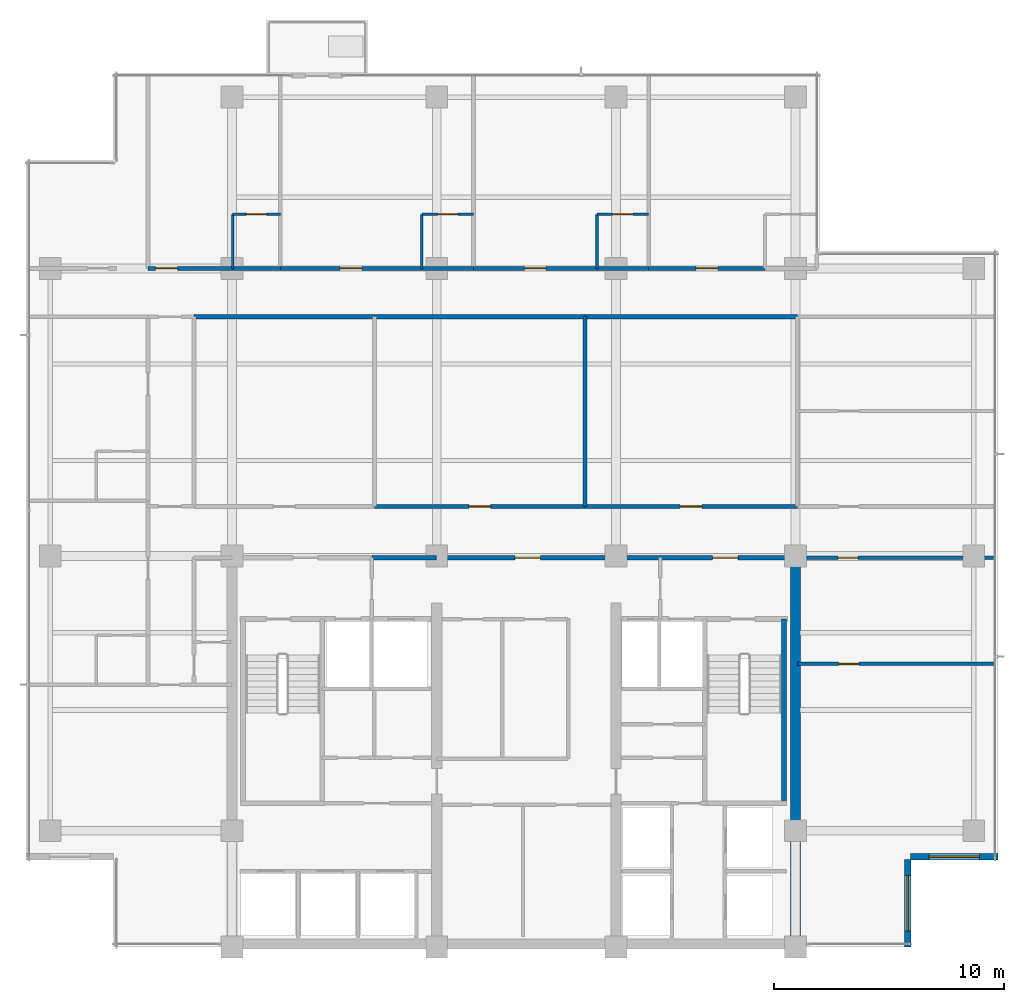
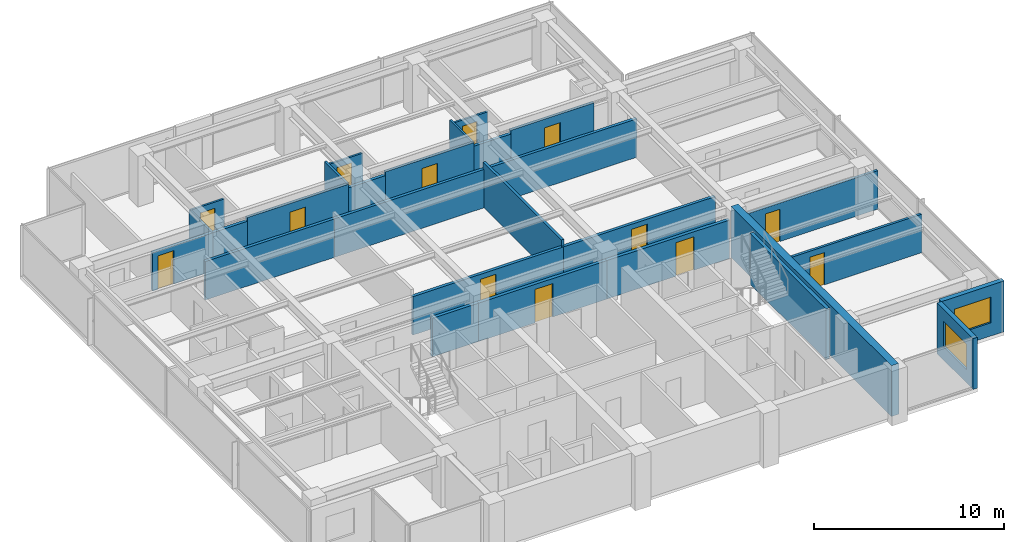
# One storey, part 9 of 14: 28 walls, 13 doors, 2 windows, 15 openings.
"""IFC4 building model written with IfcOpenShell, lengths in metres."""

from ifc_helpers import new_model, si_unit, direction, frame, frame_2d, origin, place, context, subcontext, project, spatial, rectangle, extrude, material, layer, layer_set, type_object, element, fill, save


model = new_model("IFC4")

# Units and contexts
model_context = context("Model", 3, precision=1e-05, world=origin(), true_north=direction((0.0, 1.0)))
body_context = subcontext(model_context, "Body", "Model", "MODEL_VIEW")
ifc_project = project(units=[si_unit("LENGTHUNIT", "METRE"), si_unit("AREAUNIT", "SQUARE_METRE"), si_unit("VOLUMEUNIT", "CUBIC_METRE"), si_unit("PLANEANGLEUNIT", "RADIAN"), si_unit("MASSUNIT", "GRAM", prefix="KILO")], contexts=[model_context])

# Site, building, storey
site_placement = place(None, origin())
site = spatial("IfcSite", under=ifc_project, at=site_placement, CompositionType="ELEMENT")
building_placement = place(site_placement, origin())
building = spatial("IfcBuilding", under=site, at=building_placement, Name="Qalmaran Belvedere Hotel", CompositionType="ELEMENT")
storey_placement = place(building_placement, frame((0.0, 0.0, 210.89990234375)))
storey = spatial("IfcBuildingStorey", under=building, at=storey_placement, Name="L53", CompositionType="ELEMENT", Elevation=210.89990234375)

# Wall
ifc_material_1 = material(Name="Concrete C50/60", Category="concrete")
ifc_layer_1 = layer(ifc_material_1, 0.449951171875, Name="Concrete C50/60")
ifc_layer_set_1 = layer_set([ifc_layer_1], Name="Concrete C50/60")
wall_type_1 = type_object("IfcWallType", Name="WL-CORE-450-C50", PredefinedType="SHEAR", material=ifc_layer_set_1)
wall_1_placement = place(storey_placement, frame((44.800048828125, 3.5, 0.0), z_axis=(0.0, 0.0, 1.0), x_axis=(0.0, 1.0, 0.0)))
element("IfcWall", 1, at=wall_1_placement, inside=storey, type_object=wall_type_1, Name="L53 East Core Shear Wall", PredefinedType="SHEAR", context=body_context, shape_type="SweptSolid", body=[
    extrude(rectangle(XDim=16.89990234375, YDim=0.449951171875, at=frame_2d((8.449951171875, 0.0))), origin(), (0.0, 0.0, 1.0), 3.260009765625),
])

# Wall, opening, window
ifc_material_2 = material(Name="Anodised Bronze Cladding")
ifc_layer_2 = layer(ifc_material_2, 0.280029296875, Name="Anodised Bronze Cladding")
ifc_layer_set_2 = layer_set([ifc_layer_2], Name="Anodised Bronze Cladding")
wall_type_2 = type_object("IfcWallType", Name="WL-EXT-BRNZ-280", PredefinedType="SOLIDWALL", material=ifc_layer_set_2)
wall_2_placement = place(storey_placement, frame((49.679931640625, 3.5, 0.0), z_axis=(0.0, 0.0, 1.0), x_axis=(0.0, 1.0, 0.0)))
wall_2 = element("IfcWall", 2, at=wall_2_placement, inside=storey, type_object=wall_type_2, Name="L53 Corner Notch Wall 1", PredefinedType="SOLIDWALL", context=body_context, shape_type="SweptSolid", body=[
    extrude(rectangle(XDim=3.800048828125, YDim=0.280029296875, at=frame_2d((1.89990234375, 0.0))), origin(), (0.0, 0.0, 1.0), 3.260009765625),
])
opening_1_placement = place(wall_2_placement, frame((0.699951171875, 0.0, 0.85009765625)))
opening_1 = element("IfcOpeningElement", 3, at=opening_1_placement, cuts=wall_2, Name="Opening W-N24", PredefinedType="OPENING", context=body_context, shape_type="SweptSolid", body=[
    extrude(rectangle(XDim=2.39990234375, YDim=1.64990234375, at=frame_2d((1.199951171875, 0.824951171875))), frame((0.0, 0.14990234375, 0.0), z_axis=(0.0, -1.0, 0.0), x_axis=(1.0, 0.0, 0.0)), (0.0, 0.0, 1.0), 0.300048828125),
])
ifc_material_3 = material(Name="Solar-Control Double Glazing", Category="glass")
window_type_1 = type_object("IfcWindowType", Name="WN-NTC-2400X1650", PartitioningType="SINGLE_PANEL", PredefinedType="WINDOW", material=ifc_material_3)
window_1_placement = place(opening_1_placement, origin())
window_1 = element("IfcWindow", 4, at=window_1_placement, inside=storey, type_object=window_type_1, Name="L53 Corner Notch Window 1", OverallHeight=1.64990234375, OverallWidth=2.39990234375, PartitioningType="SINGLE_PANEL", PredefinedType="WINDOW", context=body_context, shape_type="SweptSolid", body=[
    extrude(rectangle(XDim=2.39990234375, YDim=1.64990234375, at=frame_2d((1.199951171875, 0.824951171875))), frame((0.0, 0.030029296875, 0.0), z_axis=(0.0, -1.0, 0.0), x_axis=(1.0, 0.0, 0.0)), (0.0, 0.0, 1.0), 0.06005859375),
])
fill(opening_1, window_1)

wall_3_placement = place(storey_placement, frame((49.800048828125, 7.419921875, 0.0), z_axis=(0.0, 0.0, 1.0), x_axis=(1.0, 0.0, 0.0)))
wall_3 = element("IfcWall", 5, at=wall_3_placement, inside=storey, type_object=wall_type_2, Name="L53 Corner Notch Wall 2", PredefinedType="SOLIDWALL", context=body_context, shape_type="SweptSolid", body=[
    extrude(rectangle(XDim=3.800048828125, YDim=0.280029296875, at=frame_2d((1.89990234375, 0.0))), origin(), (0.0, 0.0, 1.0), 3.260009765625),
])
opening_2_placement = place(wall_3_placement, frame((0.800048828125, 0.0, 0.85009765625)))
opening_2 = element("IfcOpeningElement", 6, at=opening_2_placement, cuts=wall_3, Name="Opening W-N22", PredefinedType="OPENING", context=body_context, shape_type="SweptSolid", body=[
    extrude(rectangle(XDim=2.199951171875, YDim=1.64990234375, at=frame_2d((1.10009765625, 0.824951171875))), frame((0.0, 0.14990234375, 0.0), z_axis=(0.0, -1.0, 0.0), x_axis=(1.0, 0.0, 0.0)), (0.0, 0.0, 1.0), 0.300048828125),
])
window_type_2 = type_object("IfcWindowType", Name="WN-NTC-2200X1650", PartitioningType="SINGLE_PANEL", PredefinedType="WINDOW", material=ifc_material_3)
window_2_placement = place(opening_2_placement, origin())
window_2 = element("IfcWindow", 7, at=window_2_placement, inside=storey, type_object=window_type_2, Name="L53 Corner Notch Window 2", OverallHeight=1.64990234375, OverallWidth=2.199951171875, PartitioningType="SINGLE_PANEL", PredefinedType="WINDOW", context=body_context, shape_type="SweptSolid", body=[
    extrude(rectangle(XDim=2.199951171875, YDim=1.64990234375, at=frame_2d((1.10009765625, 0.824951171875))), frame((0.0, 0.030029296875, 0.0), z_axis=(0.0, -1.0, 0.0), x_axis=(1.0, 0.0, 0.0)), (0.0, 0.0, 1.0), 0.06005859375),
])
fill(opening_2, window_2)

# Wall, opening, door
ifc_material_4 = material(Name="Moisture-Resistant Gypsum")
ifc_layer_3 = layer(ifc_material_4, 0.1201171875, Name="Moisture-Resistant Gypsum")
ifc_layer_set_3 = layer_set([ifc_layer_3], Name="Moisture-Resistant Gypsum")
wall_type_3 = type_object("IfcWallType", Name="WL-INT-120-BATH", PredefinedType="PARTITIONING", material=ifc_layer_set_3)
wall_4_placement = place(storey_placement, frame((20.330078125, 35.35009765625, 0.0), z_axis=(0.0, 0.0, 1.0), x_axis=(1.0, 0.0, 0.0)))
wall_4 = element("IfcWall", 8, at=wall_4_placement, inside=storey, type_object=wall_type_3, Name="L53 Partition WL-L53-NBN00", PredefinedType="PARTITIONING", context=body_context, shape_type="SweptSolid", body=[
    extrude(rectangle(XDim=2.06982421875, YDim=0.1201171875, at=frame_2d((1.034912109375, 0.0))), origin(), (0.0, 0.0, 1.0), 2.47216796875),
])
opening_3_placement = place(wall_4_placement, frame((1.474853515625, 0.0, 0.0), z_axis=(0.0, 0.0, 1.0), x_axis=(-1.0, 0.0, 0.0)))
opening_3 = element("IfcOpeningElement", 9, at=opening_3_placement, cuts=wall_4, Name="Opening D-BATH", PredefinedType="OPENING", context=body_context, shape_type="SweptSolid", body=[
    extrude(rectangle(XDim=0.8798828125, YDim=2.080078125, at=frame_2d((0.43994140625, 1.0400390625))), frame((0.0, 0.070068359375, 0.0), z_axis=(0.0, -1.0, 0.0), x_axis=(1.0, 0.0, 0.0)), (0.0, 0.0, 1.0), 0.14013671875),
])
ifc_material_5 = material(Name="Engineered Oak Veneer")
door_type_1 = type_object("IfcDoorType", Name="DR-INT-BATH-880X2080", OperationType="NOTDEFINED", PredefinedType="DOOR", material=ifc_material_5)
door_1_placement = place(opening_3_placement, origin())
door_1 = element("IfcDoor", 10, at=door_1_placement, inside=storey, type_object=door_type_1, Name="L53 Ensuite Bathroom Door N01", OperationType="SINGLE_SWING_RIGHT", OverallHeight=2.080078125, OverallWidth=0.8798828125, PredefinedType="DOOR", context=body_context, shape_type="SweptSolid", body=[
    extrude(rectangle(XDim=0.8798828125, YDim=2.080078125, at=frame_2d((0.43994140625, 1.0400390625))), frame((0.0, 0.02490234375, 0.0), z_axis=(0.0, -1.0, 0.0), x_axis=(1.0, 0.0, 0.0)), (0.0, 0.0, 1.0), 0.050048828125),
])
fill(opening_3, door_1)

# Wall
wall_5_placement = place(storey_placement, frame((20.330078125, 33.0, 0.0), z_axis=(0.0, 0.0, 1.0), x_axis=(0.0, 1.0, 0.0)))
element("IfcWall", 11, at=wall_5_placement, inside=storey, type_object=wall_type_3, Name="L53 Partition WL-L53-NBS00", PredefinedType="PARTITIONING", context=body_context, shape_type="SweptSolid", body=[
    extrude(rectangle(XDim=2.35009765625, YDim=0.1201171875, at=frame_2d((1.175048828125, 0.0))), origin(), (0.0, 0.0, 1.0), 2.47216796875),
])

# Wall, opening, door
wall_6_placement = place(storey_placement, frame((28.5546875, 35.35009765625, 0.0), z_axis=(0.0, 0.0, 1.0), x_axis=(1.0, 0.0, 0.0)))
wall_6 = element("IfcWall", 12, at=wall_6_placement, inside=storey, type_object=wall_type_3, Name="L53 Partition WL-L53-NBN01", PredefinedType="PARTITIONING", context=body_context, shape_type="SweptSolid", body=[
    extrude(rectangle(XDim=2.25, YDim=0.1201171875, at=frame_2d((1.125, 0.0))), origin(), (0.0, 0.0, 1.0), 2.47216796875),
])
opening_4_placement = place(wall_6_placement, frame((1.56494140625, 0.0, 0.0), z_axis=(0.0, 0.0, 1.0), x_axis=(-1.0, 0.0, 0.0)))
opening_4 = element("IfcOpeningElement", 13, at=opening_4_placement, cuts=wall_6, Name="Opening D-BATH", PredefinedType="OPENING", context=body_context, shape_type="SweptSolid", body=[
    extrude(rectangle(XDim=0.8798828125, YDim=2.080078125, at=frame_2d((0.43994140625, 1.0400390625))), frame((0.0, 0.070068359375, 0.0), z_axis=(0.0, -1.0, 0.0), x_axis=(1.0, 0.0, 0.0)), (0.0, 0.0, 1.0), 0.14013671875),
])
door_2_placement = place(opening_4_placement, origin())
door_2 = element("IfcDoor", 14, at=door_2_placement, inside=storey, type_object=door_type_1, Name="L53 Ensuite Bathroom Door N02", OperationType="SINGLE_SWING_RIGHT", OverallHeight=2.080078125, OverallWidth=0.8798828125, PredefinedType="DOOR", context=body_context, shape_type="SweptSolid", body=[
    extrude(rectangle(XDim=0.8798828125, YDim=2.080078125, at=frame_2d((0.43994140625, 1.0400390625))), frame((0.0, 0.02490234375, 0.0), z_axis=(0.0, -1.0, 0.0), x_axis=(1.0, 0.0, 0.0)), (0.0, 0.0, 1.0), 0.050048828125),
])
fill(opening_4, door_2)

# Wall
wall_7_placement = place(storey_placement, frame((28.5546875, 33.0, 0.0), z_axis=(0.0, 0.0, 1.0), x_axis=(0.0, 1.0, 0.0)))
element("IfcWall", 15, at=wall_7_placement, inside=storey, type_object=wall_type_3, Name="L53 Partition WL-L53-NBS01", PredefinedType="PARTITIONING", context=body_context, shape_type="SweptSolid", body=[
    extrude(rectangle(XDim=2.35009765625, YDim=0.1201171875, at=frame_2d((1.175048828125, 0.0))), origin(), (0.0, 0.0, 1.0), 2.7060546875),
])

# Wall, opening, door
wall_8_placement = place(storey_placement, frame((36.169677734375, 35.35009765625, 0.0), z_axis=(0.0, 0.0, 1.0), x_axis=(1.0, 0.0, 0.0)))
wall_8 = element("IfcWall", 16, at=wall_8_placement, inside=storey, type_object=wall_type_3, Name="L53 Partition WL-L53-NBN02", PredefinedType="PARTITIONING", context=body_context, shape_type="SweptSolid", body=[
    extrude(rectangle(XDim=2.25, YDim=0.1201171875, at=frame_2d((1.125, 0.0))), origin(), (0.0, 0.0, 1.0), 2.47216796875),
])
opening_5_placement = place(wall_8_placement, frame((1.56494140625, 0.0, 0.0), z_axis=(0.0, 0.0, 1.0), x_axis=(-1.0, 0.0, 0.0)))
opening_5 = element("IfcOpeningElement", 17, at=opening_5_placement, cuts=wall_8, Name="Opening D-BATH", PredefinedType="OPENING", context=body_context, shape_type="SweptSolid", body=[
    extrude(rectangle(XDim=0.8798828125, YDim=2.080078125, at=frame_2d((0.43994140625, 1.0400390625))), frame((0.0, 0.070068359375, 0.0), z_axis=(0.0, -1.0, 0.0), x_axis=(1.0, 0.0, 0.0)), (0.0, 0.0, 1.0), 0.14013671875),
])
door_3_placement = place(opening_5_placement, origin())
door_3 = element("IfcDoor", 18, at=door_3_placement, inside=storey, type_object=door_type_1, Name="L53 Ensuite Bathroom Door N03", OperationType="SINGLE_SWING_RIGHT", OverallHeight=2.080078125, OverallWidth=0.8798828125, PredefinedType="DOOR", context=body_context, shape_type="SweptSolid", body=[
    extrude(rectangle(XDim=0.8798828125, YDim=2.080078125, at=frame_2d((0.43994140625, 1.0400390625))), frame((0.0, 0.02490234375, 0.0), z_axis=(0.0, -1.0, 0.0), x_axis=(1.0, 0.0, 0.0)), (0.0, 0.0, 1.0), 0.050048828125),
])
fill(opening_5, door_3)

# Wall
wall_9_placement = place(storey_placement, frame((36.169677734375, 33.0, 0.0), z_axis=(0.0, 0.0, 1.0), x_axis=(0.0, 1.0, 0.0)))
element("IfcWall", 19, at=wall_9_placement, inside=storey, type_object=wall_type_3, Name="L53 Partition WL-L53-NBS02", PredefinedType="PARTITIONING", context=body_context, shape_type="SweptSolid", body=[
    extrude(rectangle(XDim=2.35009765625, YDim=0.1201171875, at=frame_2d((1.175048828125, 0.0))), origin(), (0.0, 0.0, 1.0), 2.7060546875),
])

# Wall, opening, door
ifc_material_6 = material(Name="Gypsum Stud Partition")
ifc_layer_4 = layer(ifc_material_6, 0.14990234375, Name="Gypsum Stud Partition")
ifc_layer_set_4 = layer_set([ifc_layer_4], Name="Gypsum Stud Partition")
wall_type_4 = type_object("IfcWallType", Name="WL-INT-150-EI60", PredefinedType="PARTITIONING", material=ifc_layer_set_4)
wall_10_placement = place(storey_placement, frame((44.8798828125, 15.800048828125, 0.0), z_axis=(0.0, 0.0, 1.0), x_axis=(1.0, 0.0, 0.0)))
wall_10 = element("IfcWall", 20, at=wall_10_placement, inside=storey, type_object=wall_type_4, Name="L53 Partition WL-L53-ECEH0", PredefinedType="PARTITIONING", context=body_context, shape_type="SweptSolid", body=[
    extrude(rectangle(XDim=8.60009765625, YDim=0.14990234375, at=frame_2d((4.300048828125, 0.0))), origin(), (0.0, 0.0, 1.0), 2.47216796875),
])
opening_6_placement = place(wall_10_placement, frame((2.679931640625, 0.0, 0.0), z_axis=(0.0, 0.0, 1.0), x_axis=(-1.0, 0.0, 0.0)))
opening_6 = element("IfcOpeningElement", 21, at=opening_6_placement, cuts=wall_10, Name="Opening FD60B", PredefinedType="OPENING", context=body_context, shape_type="SweptSolid", body=[
    extrude(rectangle(XDim=0.8798828125, YDim=2.080078125, at=frame_2d((0.43994140625, 1.0400390625))), frame((0.0, 0.0849609375, 0.0), z_axis=(0.0, -1.0, 0.0), x_axis=(1.0, 0.0, 0.0)), (0.0, 0.0, 1.0), 0.169921875),
])
ifc_material_7 = material(Name="Steel S355JR", Category="steel")
door_type_2 = type_object("IfcDoorType", Name="DR-FD60B-880X2080", OperationType="NOTDEFINED", PredefinedType="DOOR", material=ifc_material_7)
door_4_placement = place(opening_6_placement, origin())
door_4 = element("IfcDoor", 22, at=door_4_placement, inside=storey, type_object=door_type_2, Name="L53 East Study Inner Door", OperationType="SINGLE_SWING_LEFT", OverallHeight=2.080078125, OverallWidth=0.8798828125, PredefinedType="DOOR", context=body_context, shape_type="SweptSolid", body=[
    extrude(rectangle(XDim=0.8798828125, YDim=2.080078125, at=frame_2d((0.43994140625, 1.0400390625))), frame((0.0, 0.02490234375, 0.0), z_axis=(0.0, -1.0, 0.0), x_axis=(1.0, 0.0, 0.0)), (0.0, 0.0, 1.0), 0.050048828125),
])
fill(opening_6, door_4)

ifc_layer_5 = layer(ifc_material_6, 0.159912109375, Name="Gypsum Stud Partition")
ifc_layer_set_5 = layer_set([ifc_layer_5], Name="Gypsum Stud Partition")
wall_type_5 = type_object("IfcWallType", Name="WL-INT-160-EI60", PredefinedType="PARTITIONING", material=ifc_layer_set_5)
wall_11_placement = place(storey_placement, frame((44.800048828125, 20.419921875, 0.0), z_axis=(0.0, 0.0, 1.0), x_axis=(1.0, 0.0, 0.0)))
wall_11 = element("IfcWall", 23, at=wall_11_placement, inside=storey, type_object=wall_type_5, Name="L53 Partition WL-L53-ECE1S", PredefinedType="PARTITIONING", context=body_context, shape_type="SweptSolid", body=[
    extrude(rectangle(XDim=8.679931640625, YDim=0.159912109375, at=frame_2d((4.33984375, 0.0))), origin(), (0.0, 0.0, 1.0), 2.47216796875),
])
opening_7_placement = place(wall_11_placement, frame((2.72998046875, 0.0, 0.0), z_axis=(0.0, 0.0, 1.0), x_axis=(-1.0, 0.0, 0.0)))
opening_7 = element("IfcOpeningElement", 24, at=opening_7_placement, cuts=wall_11, Name="Opening FD60B", PredefinedType="OPENING", context=body_context, shape_type="SweptSolid", body=[
    extrude(rectangle(XDim=0.8798828125, YDim=2.080078125, at=frame_2d((0.43994140625, 1.0400390625))), frame((0.0, 0.08984375, 0.0), z_axis=(0.0, -1.0, 0.0), x_axis=(1.0, 0.0, 0.0)), (0.0, 0.0, 1.0), 0.179931640625),
])
door_5_placement = place(opening_7_placement, origin())
door_5 = element("IfcDoor", 25, at=door_5_placement, inside=storey, type_object=door_type_2, Name="L53 East Library Door", OperationType="SINGLE_SWING_LEFT", OverallHeight=2.080078125, OverallWidth=0.8798828125, PredefinedType="DOOR", context=body_context, shape_type="SweptSolid", body=[
    extrude(rectangle(XDim=0.8798828125, YDim=2.080078125, at=frame_2d((0.43994140625, 1.0400390625))), frame((0.0, 0.02490234375, 0.0), z_axis=(0.0, -1.0, 0.0), x_axis=(1.0, 0.0, 0.0)), (0.0, 0.0, 1.0), 0.050048828125),
])
fill(opening_7, door_5)

# Walls
wall_12_placement = place(storey_placement, frame((35.64990234375, 22.64990234375, 0.0), z_axis=(0.0, 0.0, 1.0), x_axis=(0.0, 1.0, 0.0)))
element("IfcWall", 26, at=wall_12_placement, inside=storey, type_object=wall_type_5, Name="L53 Partition WL-L53-MIDVR2", PredefinedType="PARTITIONING", context=body_context, shape_type="SweptSolid", body=[
    extrude(rectangle(XDim=8.25, YDim=0.159912109375, at=frame_2d((4.125, 0.0))), origin(), (0.0, 0.0, 1.0), 2.88720703125),
])
ifc_layer_6 = layer(ifc_material_6, 0.179931640625, Name="Gypsum Stud Partition")
ifc_layer_set_6 = layer_set([ifc_layer_6], Name="Gypsum Stud Partition")
wall_type_6 = type_object("IfcWallType", Name="WL-INT-180-EI60", PredefinedType="PARTITIONING", material=ifc_layer_set_6)
wall_13_placement = place(storey_placement, frame((18.64990234375, 30.89990234375, 0.0), z_axis=(0.0, 0.0, 1.0), x_axis=(1.0, 0.0, 0.0)))
element("IfcWall", 27, at=wall_13_placement, inside=storey, type_object=wall_type_6, Name="L53 Partition WL-L53-MIDO1", PredefinedType="PARTITIONING", context=body_context, shape_type="SweptSolid", body=[
    extrude(rectangle(XDim=7.85009765625, YDim=0.179931640625, at=frame_2d((3.925048828125, 0.0))), origin(), (0.0, 0.0, 1.0), 2.47216796875),
])

# Wall, opening, door
wall_14_placement = place(storey_placement, frame((26.5, 22.64990234375, 0.0), z_axis=(0.0, 0.0, 1.0), x_axis=(1.0, 0.0, 0.0)))
wall_14 = element("IfcWall", 28, at=wall_14_placement, inside=storey, type_object=wall_type_6, Name="L53 Partition WL-L53-MIDD2", PredefinedType="PARTITIONING", context=body_context, shape_type="SweptSolid", body=[
    extrude(rectangle(XDim=9.14990234375, YDim=0.179931640625, at=frame_2d((4.574951171875, 0.0))), origin(), (0.0, 0.0, 1.0), 2.47216796875),
])
opening_8_placement = place(wall_14_placement, frame((4.10009765625, 0.0, 0.0)))
opening_8 = element("IfcOpeningElement", 29, at=opening_8_placement, cuts=wall_14, Name="Opening FD60", PredefinedType="OPENING", context=body_context, shape_type="SweptSolid", body=[
    extrude(rectangle(XDim=0.949951171875, YDim=2.14990234375, at=frame_2d((0.47509765625, 1.074951171875))), frame((0.0, 0.10009765625, 0.0), z_axis=(0.0, -1.0, 0.0), x_axis=(1.0, 0.0, 0.0)), (0.0, 0.0, 1.0), 0.199951171875),
])
door_type_3 = type_object("IfcDoorType", Name="DR-FD60-950X2150", OperationType="NOTDEFINED", PredefinedType="DOOR", material=ifc_material_5)
door_6_placement = place(opening_8_placement, origin())
door_6 = element("IfcDoor", 30, at=door_6_placement, inside=storey, type_object=door_type_3, Name="L53 Club Lounge Door", OperationType="SINGLE_SWING_RIGHT", OverallHeight=2.14990234375, OverallWidth=0.949951171875, PredefinedType="DOOR", context=body_context, shape_type="SweptSolid", body=[
    extrude(rectangle(XDim=0.949951171875, YDim=2.14990234375, at=frame_2d((0.47509765625, 1.074951171875))), frame((0.0, 0.02490234375, 0.0), z_axis=(0.0, -1.0, 0.0), x_axis=(1.0, 0.0, 0.0)), (0.0, 0.0, 1.0), 0.050048828125),
])
fill(opening_8, door_6)

# Wall
wall_15_placement = place(storey_placement, frame((26.5, 30.89990234375, 0.0), z_axis=(0.0, 0.0, 1.0), x_axis=(1.0, 0.0, 0.0)))
element("IfcWall", 31, at=wall_15_placement, inside=storey, type_object=wall_type_6, Name="L53 Partition WL-L53-MIDO2", PredefinedType="PARTITIONING", context=body_context, shape_type="SweptSolid", body=[
    extrude(rectangle(XDim=9.14990234375, YDim=0.179931640625, at=frame_2d((4.574951171875, 0.0))), origin(), (0.0, 0.0, 1.0), 2.47216796875),
])

# Wall, opening, door
wall_16_placement = place(storey_placement, frame((35.64990234375, 22.64990234375, 0.0), z_axis=(0.0, 0.0, 1.0), x_axis=(1.0, 0.0, 0.0)))
wall_16 = element("IfcWall", 32, at=wall_16_placement, inside=storey, type_object=wall_type_6, Name="L53 Partition WL-L53-MIDD3", PredefinedType="PARTITIONING", context=body_context, shape_type="SweptSolid", body=[
    extrude(rectangle(XDim=9.22998046875, YDim=0.179931640625, at=frame_2d((4.614990234375, 0.0))), origin(), (0.0, 0.0, 1.0), 2.47216796875),
])
opening_9_placement = place(wall_16_placement, frame((4.139892578125, 0.0, 0.0)))
opening_9 = element("IfcOpeningElement", 33, at=opening_9_placement, cuts=wall_16, Name="Opening FD60", PredefinedType="OPENING", context=body_context, shape_type="SweptSolid", body=[
    extrude(rectangle(XDim=0.949951171875, YDim=2.14990234375, at=frame_2d((0.47509765625, 1.074951171875))), frame((0.0, 0.10009765625, 0.0), z_axis=(0.0, -1.0, 0.0), x_axis=(1.0, 0.0, 0.0)), (0.0, 0.0, 1.0), 0.199951171875),
])
door_7_placement = place(opening_9_placement, origin())
door_7 = element("IfcDoor", 34, at=door_7_placement, inside=storey, type_object=door_type_3, Name="L53 Fitness Spa Door", OperationType="SINGLE_SWING_LEFT", OverallHeight=2.14990234375, OverallWidth=0.949951171875, PredefinedType="DOOR", context=body_context, shape_type="SweptSolid", body=[
    extrude(rectangle(XDim=0.949951171875, YDim=2.14990234375, at=frame_2d((0.47509765625, 1.074951171875))), frame((0.0, 0.02490234375, 0.0), z_axis=(0.0, -1.0, 0.0), x_axis=(1.0, 0.0, 0.0)), (0.0, 0.0, 1.0), 0.050048828125),
])
fill(opening_9, door_7)

# Walls
wall_17_placement = place(storey_placement, frame((35.64990234375, 30.89990234375, 0.0), z_axis=(0.0, 0.0, 1.0), x_axis=(1.0, 0.0, 0.0)))
element("IfcWall", 35, at=wall_17_placement, inside=storey, type_object=wall_type_6, Name="L53 Partition WL-L53-MIDO3", PredefinedType="PARTITIONING", context=body_context, shape_type="SweptSolid", body=[
    extrude(rectangle(XDim=9.22998046875, YDim=0.179931640625, at=frame_2d((4.614990234375, 0.0))), origin(), (0.0, 0.0, 1.0), 2.47216796875),
])
wall_18_placement = place(storey_placement, frame((20.330078125, 33.0, 0.0), z_axis=(0.0, 0.0, 1.0), x_axis=(1.0, 0.0, 0.0)))
element("IfcWall", 36, at=wall_18_placement, inside=storey, type_object=wall_type_6, Name="L53 Partition WL-L53-NBC00", PredefinedType="PARTITIONING", context=body_context, shape_type="SweptSolid", body=[
    extrude(rectangle(XDim=2.06982421875, YDim=0.179931640625, at=frame_2d((1.034912109375, 0.0))), origin(), (0.0, 0.0, 1.0), 2.47216796875),
])

# Wall, opening, door
wall_19_placement = place(storey_placement, frame((16.64990234375, 33.0, 0.0), z_axis=(0.0, 0.0, 1.0), x_axis=(1.0, 0.0, 0.0)))
wall_19 = element("IfcWall", 37, at=wall_19_placement, inside=storey, type_object=wall_type_6, Name="L53 Partition WL-L53-NEC00", PredefinedType="PARTITIONING", context=body_context, shape_type="SweptSolid", body=[
    extrude(rectangle(XDim=3.68017578125, YDim=0.179931640625, at=frame_2d((1.840087890625, 0.0))), origin(), (0.0, 0.0, 1.0), 2.47216796875),
])
opening_10_placement = place(wall_19_placement, frame((0.33447265625, 0.0, 0.0)))
opening_10 = element("IfcOpeningElement", 38, at=opening_10_placement, cuts=wall_19, Name="Opening FD60", PredefinedType="OPENING", context=body_context, shape_type="SweptSolid", body=[
    extrude(rectangle(XDim=0.949951171875, YDim=2.14990234375, at=frame_2d((0.47509765625, 1.074951171875))), frame((0.0, 0.10009765625, 0.0), z_axis=(0.0, -1.0, 0.0), x_axis=(1.0, 0.0, 0.0)), (0.0, 0.0, 1.0), 0.199951171875),
])
door_8_placement = place(opening_10_placement, origin())
door_8 = element("IfcDoor", 39, at=door_8_placement, inside=storey, type_object=door_type_3, Name="L53 Guest Entrance Door N01", OperationType="SINGLE_SWING_LEFT", OverallHeight=2.14990234375, OverallWidth=0.949951171875, PredefinedType="DOOR", context=body_context, shape_type="SweptSolid", body=[
    extrude(rectangle(XDim=0.949951171875, YDim=2.14990234375, at=frame_2d((0.47509765625, 1.074951171875))), frame((0.0, 0.02490234375, 0.0), z_axis=(0.0, -1.0, 0.0), x_axis=(1.0, 0.0, 0.0)), (0.0, 0.0, 1.0), 0.050048828125),
])
fill(opening_10, door_8)

# Wall
wall_20_placement = place(storey_placement, frame((28.5546875, 33.0, 0.0), z_axis=(0.0, 0.0, 1.0), x_axis=(1.0, 0.0, 0.0)))
element("IfcWall", 40, at=wall_20_placement, inside=storey, type_object=wall_type_6, Name="L53 Partition WL-L53-NBC01", PredefinedType="PARTITIONING", context=body_context, shape_type="SweptSolid", body=[
    extrude(rectangle(XDim=2.25, YDim=0.179931640625, at=frame_2d((1.125, 0.0))), origin(), (0.0, 0.0, 1.0), 2.47216796875),
])

# Wall, opening, door
wall_21_placement = place(storey_placement, frame((22.39990234375, 33.0, 0.0), z_axis=(0.0, 0.0, 1.0), x_axis=(1.0, 0.0, 0.0)))
wall_21 = element("IfcWall", 41, at=wall_21_placement, inside=storey, type_object=wall_type_6, Name="L53 Partition WL-L53-NEC01", PredefinedType="PARTITIONING", context=body_context, shape_type="SweptSolid", body=[
    extrude(rectangle(XDim=6.15478515625, YDim=0.179931640625, at=frame_2d((3.077392578125, 0.0))), origin(), (0.0, 0.0, 1.0), 2.7060546875),
])
opening_11_placement = place(wall_21_placement, frame((2.602294921875, 0.0, 0.0)))
opening_11 = element("IfcOpeningElement", 42, at=opening_11_placement, cuts=wall_21, Name="Opening FD60", PredefinedType="OPENING", context=body_context, shape_type="SweptSolid", body=[
    extrude(rectangle(XDim=0.949951171875, YDim=2.14990234375, at=frame_2d((0.47509765625, 1.074951171875))), frame((0.0, 0.10009765625, 0.0), z_axis=(0.0, -1.0, 0.0), x_axis=(1.0, 0.0, 0.0)), (0.0, 0.0, 1.0), 0.199951171875),
])
door_9_placement = place(opening_11_placement, origin())
door_9 = element("IfcDoor", 43, at=door_9_placement, inside=storey, type_object=door_type_3, Name="L53 Guest Entrance Door N02", OperationType="SINGLE_SWING_LEFT", OverallHeight=2.14990234375, OverallWidth=0.949951171875, PredefinedType="DOOR", context=body_context, shape_type="SweptSolid", body=[
    extrude(rectangle(XDim=0.949951171875, YDim=2.14990234375, at=frame_2d((0.47509765625, 1.074951171875))), frame((0.0, 0.02490234375, 0.0), z_axis=(0.0, -1.0, 0.0), x_axis=(1.0, 0.0, 0.0)), (0.0, 0.0, 1.0), 0.050048828125),
])
fill(opening_11, door_9)

# Wall
wall_22_placement = place(storey_placement, frame((36.169677734375, 33.0, 0.0), z_axis=(0.0, 0.0, 1.0), x_axis=(1.0, 0.0, 0.0)))
element("IfcWall", 44, at=wall_22_placement, inside=storey, type_object=wall_type_6, Name="L53 Partition WL-L53-NBC02", PredefinedType="PARTITIONING", context=body_context, shape_type="SweptSolid", body=[
    extrude(rectangle(XDim=2.25, YDim=0.179931640625, at=frame_2d((1.125, 0.0))), origin(), (0.0, 0.0, 1.0), 2.47216796875),
])

# Wall, opening, door
wall_23_placement = place(storey_placement, frame((30.8046875, 33.0, 0.0), z_axis=(0.0, 0.0, 1.0), x_axis=(1.0, 0.0, 0.0)))
wall_23 = element("IfcWall", 45, at=wall_23_placement, inside=storey, type_object=wall_type_6, Name="L53 Partition WL-L53-NEC02", PredefinedType="PARTITIONING", context=body_context, shape_type="SweptSolid", body=[
    extrude(rectangle(XDim=5.364990234375, YDim=0.179931640625, at=frame_2d((2.6826171875, 0.0))), origin(), (0.0, 0.0, 1.0), 2.7060546875),
])
opening_12_placement = place(wall_23_placement, frame((2.20751953125, 0.0, 0.0)))
opening_12 = element("IfcOpeningElement", 46, at=opening_12_placement, cuts=wall_23, Name="Opening FD60", PredefinedType="OPENING", context=body_context, shape_type="SweptSolid", body=[
    extrude(rectangle(XDim=0.949951171875, YDim=2.14990234375, at=frame_2d((0.47509765625, 1.074951171875))), frame((0.0, 0.10009765625, 0.0), z_axis=(0.0, -1.0, 0.0), x_axis=(1.0, 0.0, 0.0)), (0.0, 0.0, 1.0), 0.199951171875),
])
door_10_placement = place(opening_12_placement, origin())
door_10 = element("IfcDoor", 47, at=door_10_placement, inside=storey, type_object=door_type_3, Name="L53 Guest Entrance Door N03", OperationType="SINGLE_SWING_LEFT", OverallHeight=2.14990234375, OverallWidth=0.949951171875, PredefinedType="DOOR", context=body_context, shape_type="SweptSolid", body=[
    extrude(rectangle(XDim=0.949951171875, YDim=2.14990234375, at=frame_2d((0.47509765625, 1.074951171875))), frame((0.0, 0.02490234375, 0.0), z_axis=(0.0, -1.0, 0.0), x_axis=(1.0, 0.0, 0.0)), (0.0, 0.0, 1.0), 0.050048828125),
])
fill(opening_12, door_10)

wall_24_placement = place(storey_placement, frame((38.419677734375, 33.0, 0.0), z_axis=(0.0, 0.0, 1.0), x_axis=(1.0, 0.0, 0.0)))
wall_24 = element("IfcWall", 48, at=wall_24_placement, inside=storey, type_object=wall_type_6, Name="L53 Partition WL-L53-NEC03", PredefinedType="PARTITIONING", context=body_context, shape_type="SweptSolid", body=[
    extrude(rectangle(XDim=5.060302734375, YDim=0.179931640625, at=frame_2d((2.5302734375, 0.0))), origin(), (0.0, 0.0, 1.0), 2.7060546875),
])
opening_13_placement = place(wall_24_placement, frame((2.05517578125, 0.0, 0.0)))
opening_13 = element("IfcOpeningElement", 49, at=opening_13_placement, cuts=wall_24, Name="Opening FD60", PredefinedType="OPENING", context=body_context, shape_type="SweptSolid", body=[
    extrude(rectangle(XDim=0.949951171875, YDim=2.14990234375, at=frame_2d((0.47509765625, 1.074951171875))), frame((0.0, 0.10009765625, 0.0), z_axis=(0.0, -1.0, 0.0), x_axis=(1.0, 0.0, 0.0)), (0.0, 0.0, 1.0), 0.199951171875),
])
door_11_placement = place(opening_13_placement, origin())
door_11 = element("IfcDoor", 50, at=door_11_placement, inside=storey, type_object=door_type_3, Name="L53 Guest Entrance Door N04", OperationType="SINGLE_SWING_LEFT", OverallHeight=2.14990234375, OverallWidth=0.949951171875, PredefinedType="DOOR", context=body_context, shape_type="SweptSolid", body=[
    extrude(rectangle(XDim=0.949951171875, YDim=2.14990234375, at=frame_2d((0.47509765625, 1.074951171875))), frame((0.0, 0.02490234375, 0.0), z_axis=(0.0, -1.0, 0.0), x_axis=(1.0, 0.0, 0.0)), (0.0, 0.0, 1.0), 0.050048828125),
])
fill(opening_13, door_11)

# Wall
ifc_material_8 = material(Name="Concrete C30/37 Blockwork", Category="masonry")
ifc_layer_7 = layer(ifc_material_8, 0.199951171875, Name="Concrete C30/37 Blockwork")
ifc_layer_set_7 = layer_set([ifc_layer_7], Name="Concrete C30/37 Blockwork")
wall_type_7 = type_object("IfcWallType", Name="WL-INT-200-EI120", PredefinedType="PARTITIONING", material=ifc_layer_set_7)
wall_25_placement = place(storey_placement, frame((26.3798828125, 20.419921875, 0.0), z_axis=(0.0, 0.0, 1.0), x_axis=(1.0, 0.0, 0.0)))
element("IfcWall", 51, at=wall_25_placement, inside=storey, type_object=wall_type_7, Name="L53 Partition WL-CN1B-L53", PredefinedType="PARTITIONING", context=body_context, shape_type="SweptSolid", body=[
    extrude(rectangle(XDim=2.820068359375, YDim=0.199951171875, at=frame_2d((1.41015625, 0.0))), origin(), (0.0, 0.0, 1.0), 2.47216796875),
])

# Wall, opening, door
wall_26_placement = place(storey_placement, frame((29.199951171875, 20.419921875, 0.0), z_axis=(0.0, 0.0, 1.0), x_axis=(1.0, 0.0, 0.0)))
wall_26 = element("IfcWall", 52, at=wall_26_placement, inside=storey, type_object=wall_type_7, Name="L53 Partition WL-CN2-L53", PredefinedType="PARTITIONING", context=body_context, shape_type="SweptSolid", body=[
    extrude(rectangle(XDim=7.800048828125, YDim=0.199951171875, at=frame_2d((3.89990234375, 0.0))), origin(), (0.0, 0.0, 1.0), 2.47216796875),
])
opening_14_placement = place(wall_26_placement, frame((3.4091796875, 0.0, 0.0)))
opening_14 = element("IfcOpeningElement", 53, at=opening_14_placement, cuts=wall_26, Name="Opening FD90", PredefinedType="OPENING", context=body_context, shape_type="SweptSolid", body=[
    extrude(rectangle(XDim=1.10009765625, YDim=2.14990234375, at=frame_2d((0.550048828125, 1.074951171875))), frame((0.0, 0.10986328125, 0.0), z_axis=(0.0, -1.0, 0.0), x_axis=(1.0, 0.0, 0.0)), (0.0, 0.0, 1.0), 0.219970703125),
])
door_type_4 = type_object("IfcDoorType", Name="DR-FD90-1100X2150", OperationType="NOTDEFINED", PredefinedType="DOOR", material=ifc_material_7)
door_12_placement = place(opening_14_placement, origin())
door_12 = element("IfcDoor", 54, at=door_12_placement, inside=storey, type_object=door_type_4, Name="L53 Central Lift Lobby Door", OperationType="SINGLE_SWING_LEFT", OverallHeight=2.14990234375, OverallWidth=1.10009765625, PredefinedType="DOOR", context=body_context, shape_type="SweptSolid", body=[
    extrude(rectangle(XDim=1.10009765625, YDim=2.14990234375, at=frame_2d((0.550048828125, 1.074951171875))), frame((0.0, 0.02490234375, 0.0), z_axis=(0.0, -1.0, 0.0), x_axis=(1.0, 0.0, 0.0)), (0.0, 0.0, 1.0), 0.050048828125),
])
fill(opening_14, door_12)

wall_27_placement = place(storey_placement, frame((37.0, 20.419921875, 0.0), z_axis=(0.0, 0.0, 1.0), x_axis=(1.0, 0.0, 0.0)))
wall_27 = element("IfcWall", 55, at=wall_27_placement, inside=storey, type_object=wall_type_7, Name="L53 Partition WL-CN3-L53", PredefinedType="PARTITIONING", context=body_context, shape_type="SweptSolid", body=[
    extrude(rectangle(XDim=7.449951171875, YDim=0.199951171875, at=frame_2d((3.72509765625, 0.0))), origin(), (0.0, 0.0, 1.0), 2.47216796875),
])
opening_15_placement = place(wall_27_placement, frame((4.199951171875, 0.0, 0.0)))
opening_15 = element("IfcOpeningElement", 56, at=opening_15_placement, cuts=wall_27, Name="Opening FD90", PredefinedType="OPENING", context=body_context, shape_type="SweptSolid", body=[
    extrude(rectangle(XDim=1.10009765625, YDim=2.14990234375, at=frame_2d((0.550048828125, 1.074951171875))), frame((0.0, 0.10986328125, 0.0), z_axis=(0.0, -1.0, 0.0), x_axis=(1.0, 0.0, 0.0)), (0.0, 0.0, 1.0), 0.219970703125),
])
door_13_placement = place(opening_15_placement, origin())
door_13 = element("IfcDoor", 57, at=door_13_placement, inside=storey, type_object=door_type_4, Name="L53 FF2 Lobby Corridor Door", OperationType="SINGLE_SWING_RIGHT", OverallHeight=2.14990234375, OverallWidth=1.10009765625, PredefinedType="DOOR", context=body_context, shape_type="SweptSolid", body=[
    extrude(rectangle(XDim=1.10009765625, YDim=2.14990234375, at=frame_2d((0.550048828125, 1.074951171875))), frame((0.0, 0.02490234375, 0.0), z_axis=(0.0, -1.0, 0.0), x_axis=(1.0, 0.0, 0.0)), (0.0, 0.0, 1.0), 0.050048828125),
])
fill(opening_15, door_13)

# Wall
ifc_layer_8 = layer(ifc_material_1, 0.2099609375, Name="Concrete C50/60")
ifc_layer_set_8 = layer_set([ifc_layer_8], Name="Concrete C50/60")
wall_type_8 = type_object("IfcWallType", Name="WL-STAIR-210-C50", PredefinedType="SHEAR", material=ifc_layer_set_8)
wall_28_placement = place(storey_placement, frame((44.304931640625, 9.7451171875, 0.0), z_axis=(0.0, 0.0, 1.0), x_axis=(0.0, 1.0, 0.0)))
element("IfcWall", 58, at=wall_28_placement, inside=storey, type_object=wall_type_8, Name="L53 Stair ST-2 East Bearing Wall", PredefinedType="SHEAR", context=body_context, shape_type="SweptSolid", body=[
    extrude(rectangle(XDim=8.009765625, YDim=0.2099609375, at=frame_2d((4.0048828125, 0.0))), origin(), (0.0, 0.0, 1.0), 3.260009765625),
])

save(model, "model.ifc")
